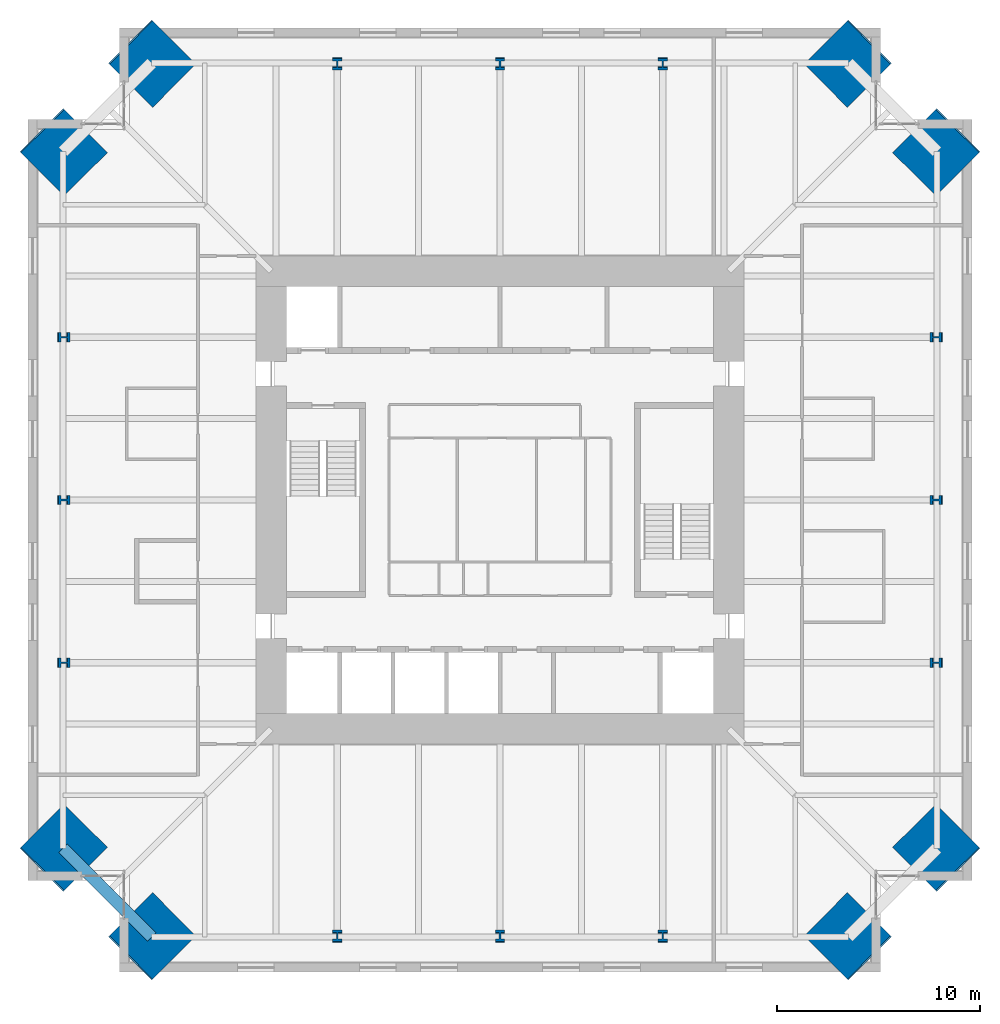
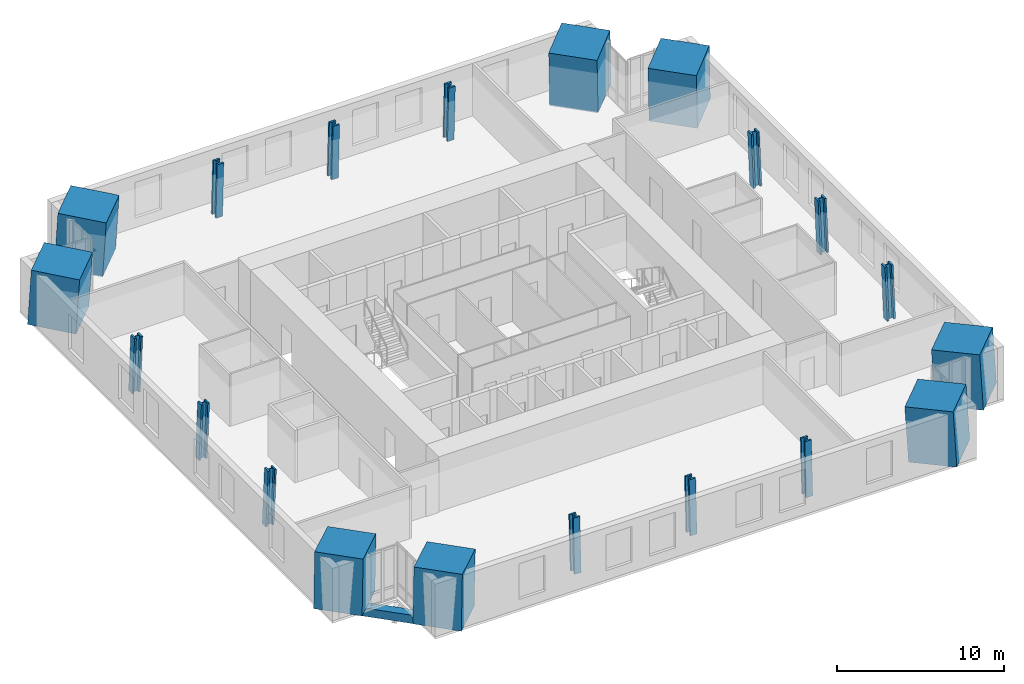
# One storey, part 1 of 15: 20 columns, 1 beam.
"""IFC4 building model written with IfcOpenShell, lengths in metres."""

from ifc_helpers import new_model, si_unit, direction, frame, origin, origin_2d, place, context, subcontext, project, spatial, rectangle, hollow_rectangle, i_section, extrude, material, material_profile, profile_set, type_object, element, save


model = new_model("IFC4")

# Units and contexts
model_context = context("Model", 3, precision=1e-05, world=origin(), true_north=direction((0.0, 1.0)))
body_context = subcontext(model_context, "Body", "Model", "MODEL_VIEW")
ifc_project = project(units=[si_unit("LENGTHUNIT", "METRE"), si_unit("AREAUNIT", "SQUARE_METRE"), si_unit("VOLUMEUNIT", "CUBIC_METRE"), si_unit("PLANEANGLEUNIT", "RADIAN"), si_unit("MASSUNIT", "GRAM", prefix="KILO")], contexts=[model_context])

# Site, building, storey
site_placement = place(None, origin())
site = spatial("IfcSite", under=ifc_project, at=site_placement, CompositionType="ELEMENT")
building_placement = place(site_placement, origin())
building = spatial("IfcBuilding", under=site, at=building_placement, Name="Peilmerk Tower", CompositionType="ELEMENT")
storey_placement = place(building_placement, frame((0.0, 0.0, 233.800048828125)))
storey = spatial("IfcBuildingStorey", under=building, at=storey_placement, Name="L51", CompositionType="ELEMENT", Elevation=233.800048828125)

# Columns
ifc_material_1 = material(Name="Concrete C90/105", Category="concrete")
ifc_material_profile_1 = material_profile(ifc_material_1, rectangle(XDim=3.0, YDim=3.0, at=origin_2d()), Name="RC 3000x3000")
ifc_profile_set_1 = profile_set([ifc_material_profile_1], Name="Concrete C90/105")
column_type_1 = type_object("IfcColumnType", Name="MC3 3000x3000 encased mega column", PredefinedType="COLUMN", material=ifc_profile_set_1)
for number, where, z_axis, x_axis, name in (
    (1, (17.119384765625, 21.46923828125, 0.0), (-0.040278830354, -0.040217894151, 0.998378754189), (0.706571297296, -0.707641859868, 0.0), "Mega column MC3 NE_N L51"),
    (2, (21.46923828125, 17.119384765625, 0.0), (-0.040217894151, -0.040278830354, 0.998378754189), (0.707641859868, -0.706571297296, 0.0), "Mega column MC3 NE_E L51"),
    (3, (21.46923828125, -17.119384765625, 0.0), (-0.040217894151, 0.040278830354, 0.998378754189), (-0.707641859868, -0.706571297296, 0.0), "Mega column MC3 SE_E L51"),
    (4, (17.119384765625, -21.46923828125, 0.0), (-0.040278830354, 0.040217894151, 0.998378754189), (-0.706571297296, -0.707641859868, 0.0), "Mega column MC3 SE_S L51"),
    (5, (-17.119384765625, -21.46923828125, 0.0), (0.040278830354, 0.040217894151, 0.998378754189), (-0.706571297296, 0.707641859868, 0.0), "Mega column MC3 SW_S L51"),
    (6, (-21.46923828125, -17.119384765625, 0.0), (0.040217894151, 0.040278830354, 0.998378754189), (-0.707641859868, 0.706571297296, 0.0), "Mega column MC3 SW_W L51"),
    (7, (-21.46923828125, 17.119384765625, 0.0), (0.040217894151, -0.040278830354, 0.998378754189), (0.707641859868, 0.706571297296, 0.0), "Mega column MC3 NW_W L51"),
    (8, (-17.119384765625, 21.46923828125, 0.0), (0.040278830354, -0.040217894151, 0.998378754189), (0.706571297296, 0.707641859868, 0.0), "Mega column MC3 NW_N L51"),
):
    element("IfcColumn", number, at=place(storey_placement, frame(where, z_axis=z_axis, x_axis=x_axis)), inside=storey, type_object=column_type_1, Name=name, PredefinedType="COLUMN", context=body_context, shape_type="SweptSolid", body=[
        extrude(rectangle(XDim=3.0, YDim=3.0, at=origin_2d()), origin(), (0.0, 0.0, 1.0), 4.006591796875),
    ])
ifc_material_2 = material(Name="Steel S460", Category="steel")
ifc_material_profile_2 = material_profile(ifc_material_2, i_section(OverallWidth=0.4541015625, OverallDepth=0.569091796875, WebThickness=0.077880859375, FlangeThickness=0.125, at=origin_2d()), Name="HD 400x1086")
ifc_profile_set_2 = profile_set([ifc_material_profile_2], Name="Steel S460")
column_type_2 = type_object("IfcColumnType", Name="SC6 HD 400x1086 interior column", PredefinedType="COLUMN", material=ifc_profile_set_2)
for number, where, z_axis, x_axis, name in (
    (9, (0.0, 21.46923828125, 0.0), (0.0, -0.040250558339, 0.999189617917), (1.0, 0.0, 0.0), "Perimeter column N+0 L51"),
    (10, (8.0, 21.46923828125, 0.0), (0.0, -0.040250558339, 0.999189617917), (1.0, 0.0, 0.0), "Perimeter column N-8 L51"),
    (11, (-8.0, 21.46923828125, 0.0), (0.0, -0.040250558339, 0.999189617917), (1.0, 0.0, 0.0), "Perimeter column N+8 L51"),
    (12, (21.46923828125, 0.0, 0.0), (-0.040250558339, 0.0, 0.999189617917), (0.0, -1.0, 0.0), "Perimeter column E+0 L51"),
    (13, (21.46923828125, -8.0, 0.0), (-0.040250558339, 0.0, 0.999189617917), (0.0, -1.0, 0.0), "Perimeter column E-8 L51"),
    (14, (21.46923828125, 8.0, 0.0), (-0.040250558339, 0.0, 0.999189617917), (0.0, -1.0, 0.0), "Perimeter column E+8 L51"),
    (15, (0.0, -21.46923828125, 0.0), (0.0, 0.040250558339, 0.999189617917), (-1.0, 0.0, 0.0), "Perimeter column S+0 L51"),
    (16, (-8.0, -21.46923828125, 0.0), (0.0, 0.040250558339, 0.999189617917), (-1.0, 0.0, 0.0), "Perimeter column S-8 L51"),
    (17, (8.0, -21.46923828125, 0.0), (0.0, 0.040250558339, 0.999189617917), (-1.0, 0.0, 0.0), "Perimeter column S+8 L51"),
    (18, (-21.46923828125, 0.0, 0.0), (0.040250558339, 0.0, 0.999189617917), (0.0, 1.0, 0.0), "Perimeter column W+0 L51"),
    (19, (-21.46923828125, 8.0, 0.0), (0.040250558339, 0.0, 0.999189617917), (0.0, 1.0, 0.0), "Perimeter column W-8 L51"),
    (20, (-21.46923828125, -8.0, 0.0), (0.040250558339, 0.0, 0.999189617917), (0.0, 1.0, 0.0), "Perimeter column W+8 L51"),
):
    element("IfcColumn", number, at=place(storey_placement, frame(where, z_axis=z_axis, x_axis=x_axis)), inside=storey, type_object=column_type_2, Name=name, PredefinedType="COLUMN", context=body_context, shape_type="SweptSolid", body=[
        extrude(i_section(OverallWidth=0.4541015625, OverallDepth=0.569091796875, WebThickness=0.077880859375, FlangeThickness=0.125, at=origin_2d()), origin(), (0.0, 0.0, 1.0), 4.003173828125),
    ])

# Beam
ifc_material_profile_3 = material_profile(ifc_material_2, hollow_rectangle(XDim=0.60009765625, YDim=0.60009765625, WallThickness=0.06005859375, at=origin_2d()), Name="BOX 600x600x60")
ifc_profile_set_3 = profile_set([ifc_material_profile_3], Name="Steel S460")
beam_type = type_object("IfcBeamType", Name="B20 BOX 600x600x60 notch beam", PredefinedType="SPANDREL", material=ifc_profile_set_3)
beam_placement = place(storey_placement, frame((-17.119384765625, -21.46923828125, -0.469970703125), z_axis=(-0.707106781187, 0.707106781187, 0.0), x_axis=(-0.707106781187, -0.707106781187, 0.0)))
element("IfcBeam", 21, at=beam_placement, inside=storey, type_object=beam_type, Name="Notch beam L51", PredefinedType="SPANDREL", context=body_context, shape_type="SweptSolid", body=[
    extrude(hollow_rectangle(XDim=0.60009765625, YDim=0.60009765625, WallThickness=0.06005859375, at=origin_2d()), origin(), (0.0, 0.0, 1.0), 6.151611328125),
])

save(model, "model.ifc")
